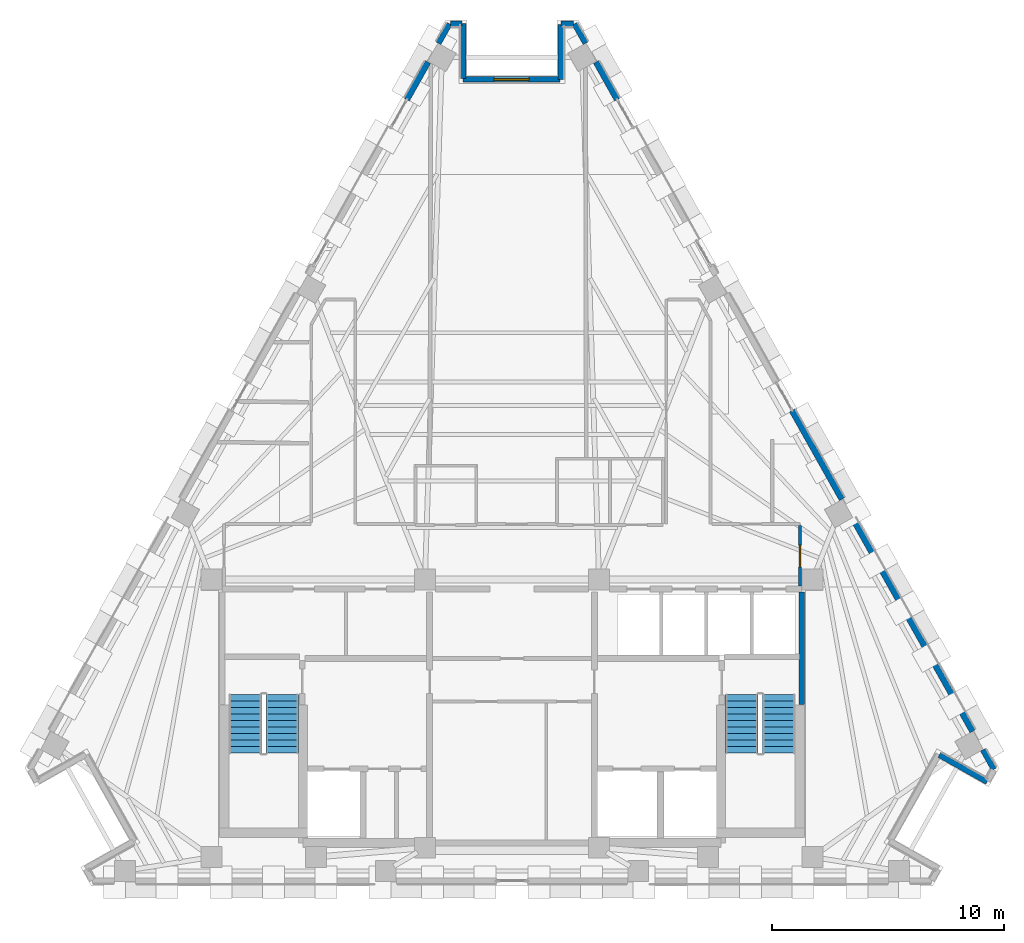
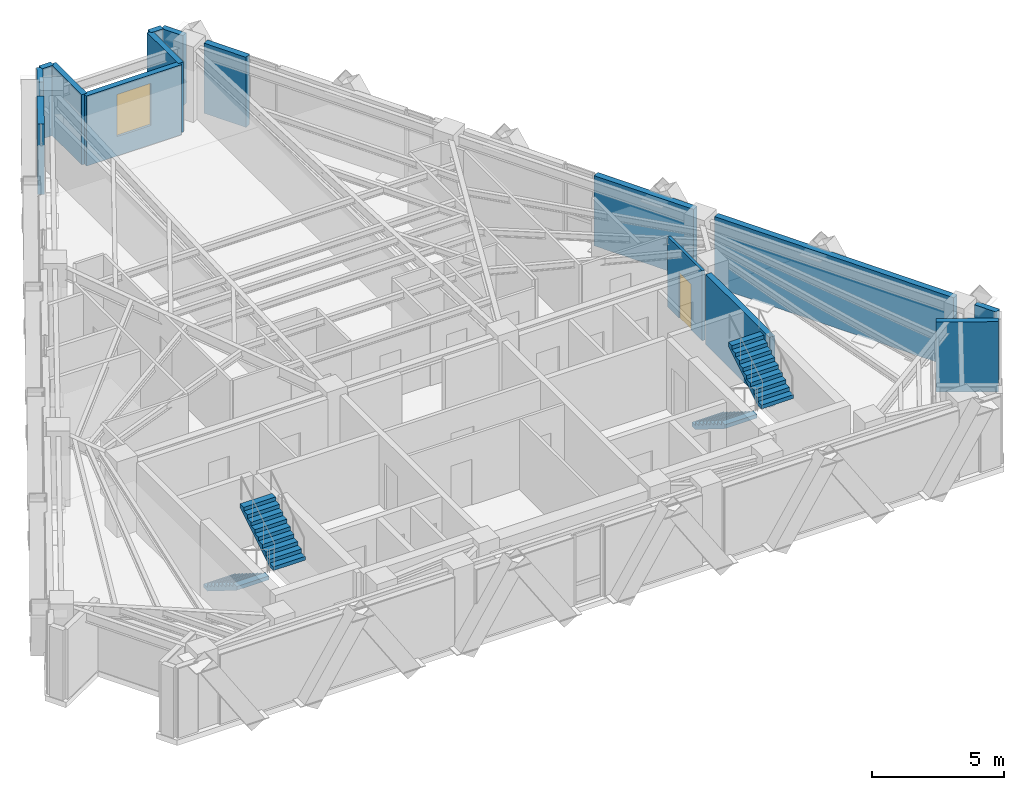
# One storey, part 9 of 12: 15 walls, 4 stair flights, 1 door, 1 window, 2 openings, 2 elements without a shape of their own.
"""IFC4 building model written with IfcOpenShell, lengths in metres."""

from ifc_helpers import new_model, si_unit, direction, frame, frame_2d, origin, place, context, subcontext, project, spatial, polyline, rectangle, outline, extrude, material, layer, layer_set, type_object, element, fill, aggregate, save


model = new_model("IFC4")

# Units and contexts
model_context = context("Model", 3, precision=1e-05, world=origin(), true_north=direction((0.0, 1.0)))
body_context = subcontext(model_context, "Body", "Model", "MODEL_VIEW")
ifc_project = project(units=[si_unit("LENGTHUNIT", "METRE"), si_unit("AREAUNIT", "SQUARE_METRE"), si_unit("VOLUMEUNIT", "CUBIC_METRE"), si_unit("PLANEANGLEUNIT", "RADIAN"), si_unit("MASSUNIT", "GRAM", prefix="KILO")], contexts=[model_context])

# Site, building, storey
site_placement = place(None, origin())
site = spatial("IfcSite", under=ifc_project, at=site_placement, CompositionType="ELEMENT")
building_placement = place(site_placement, origin())
building = spatial("IfcBuilding", under=site, at=building_placement, Name="Quenlor Broadcast Tower", CompositionType="ELEMENT")
storey_placement = place(building_placement, frame((0.0, 0.0, 197.39990234375)))
storey = spatial("IfcBuildingStorey", under=building, at=storey_placement, Name="L54", CompositionType="ELEMENT", Elevation=197.39990234375)

# Wall
ifc_material_1 = material(Name="Concrete C40/50", Category="concrete")
ifc_layer_1 = layer(ifc_material_1, 0.25)
ifc_layer_set_1 = layer_set([ifc_layer_1], Name="Fire Rated Concrete C40/50 Core Wall 250")
wall_type_1 = type_object("IfcWallType", Name="Fire Rated Concrete C40/50 Core Wall 250", PredefinedType="PARTITIONING", material=ifc_layer_set_1)
wall_1_placement = place(storey_placement, frame((12.47998046875, -10.179931640625, 0.0), z_axis=(0.0, 0.0, 1.0), x_axis=(0.0, 1.0, 0.0)))
element("IfcWall", 1, at=wall_1_placement, inside=storey, type_object=wall_type_1, Name="L54 Interior Wall CW-ST2-E2", PredefinedType="PARTITIONING", context=body_context, shape_type="SweptSolid", body=[
    extrude(rectangle(XDim=4.83984375, YDim=0.25, at=frame_2d((2.419921875, 0.0))), origin(), (0.0, 0.0, 1.0), 3.25),
])

# Wall, opening, door
ifc_material_2 = material(Name="Gypsum Plasterboard Partition", Category="other")
ifc_layer_2 = layer(ifc_material_2, 0.1201171875)
ifc_layer_set_2 = layer_set([ifc_layer_2], Name="Standard Office Partition 120")
wall_type_2 = type_object("IfcWallType", Name="Standard Office Partition 120", PredefinedType="PARTITIONING", material=ifc_layer_set_2)
wall_2_placement = place(storey_placement, frame((12.409912109375, -2.4619140625, 0.0), z_axis=(0.0, 0.0, 1.0), x_axis=(0.0, -1.0, 0.0)))
wall_2 = element("IfcWall", 2, at=wall_2_placement, inside=storey, type_object=wall_type_2, Name="L54 Interior Wall PW-CR-13", PredefinedType="PARTITIONING", context=body_context, shape_type="SweptSolid", body=[
    extrude(rectangle(XDim=2.611083984375, YDim=0.1201171875, at=frame_2d((1.3056640625, 0.0))), origin(), (0.0, 0.0, 1.0), 3.25),
])
opening_1_placement = place(wall_2_placement, frame((0.863037109375, 0.0, 0.0)))
opening_1 = element("IfcOpeningElement", 3, at=opening_1_placement, cuts=wall_2, Name="Opening ID-1", PredefinedType="OPENING", context=body_context, shape_type="SweptSolid", body=[
    extrude(rectangle(XDim=0.919921875, YDim=2.1201171875, at=frame_2d((0.4599609375, 1.06005859375))), frame((0.0, 0.070068359375, 0.0), z_axis=(0.0, -1.0, 0.0), x_axis=(1.0, 0.0, 0.0)), (0.0, 0.0, 1.0), 0.14013671875),
])
ifc_material_3 = material(Name="Solid Core Timber Oak", Category="wood")
door_type = type_object("IfcDoorType", Name="Single Leaf Timber Office Door 920x2120", OperationType="NOTDEFINED", PredefinedType="DOOR", material=ifc_material_3)
door_placement = place(opening_1_placement, origin())
door = element("IfcDoor", 4, at=door_placement, inside=storey, type_object=door_type, Name="L54 Door DR-RM08", OperationType="SINGLE_SWING_LEFT", OverallHeight=2.1201171875, OverallWidth=0.919921875, PredefinedType="DOOR", context=body_context, shape_type="SweptSolid", body=[
    extrude(rectangle(XDim=0.919921875, YDim=2.1201171875, at=frame_2d((0.4599609375, 1.06005859375))), frame((0.0, 0.02490234375, 0.0), z_axis=(0.0, -1.0, 0.0), x_axis=(1.0, 0.0, 0.0)), (0.0, 0.0, 1.0), 0.050048828125),
])
fill(opening_1, door)

# Walls
ifc_material_4 = material(Name="Precast concrete C40/50", Category="concrete")
ifc_layer_3 = layer(ifc_material_4, 0.239990234375)
ifc_layer_set_3 = layer_set([ifc_layer_3], Name="Terrace Threshold Precast Concrete C40/50 Wall 240")
wall_type_3 = type_object("IfcWallType", Name="Terrace Threshold Precast Concrete C40/50 Wall 240", PredefinedType="STANDARD", material=ifc_layer_set_3)
for number, where, z_axis, x_axis, name in (
    (5, (2.6953125, 19.1494140625, 0.0), (0.0, 0.0, 1.0), (0.490345412687, -0.87152818443, 0.0), "L54 Exterior Wall L54-SHD-NES0"),
    (6, (20.289794921875, -12.1298828125, 0.0), (0.0, 0.0, 1.0), (0.490345412687, -0.87152818443, 0.0), "L54 Exterior Wall L54-SHD-NES1"),
    (7, (-3.16796875, 18.309326171875, 0.0), (0.0, 0.0, 1.0), (0.490345412687, 0.87152818443, 0.0), "L54 Exterior Wall L54-SHD-NWS1"),
):
    element("IfcWall", number, at=place(storey_placement, frame(where, z_axis=z_axis, x_axis=x_axis)), inside=storey, type_object=wall_type_3, Name=name, PredefinedType="STANDARD", context=body_context, shape_type="SweptSolid", body=[
        extrude(rectangle(XDim=0.9638671875, YDim=0.239990234375, at=frame_2d((0.48193359375, 0.0))), origin(), (0.0, 0.0, 1.0), 3.25),
    ])
wall_3_placement = place(storey_placement, frame((18.412109375, -12.351318359375, 0.0), z_axis=(0.0, 0.0, 1.0), x_axis=(0.871578299909, -0.490256327984, 0.0)))
element("IfcWall", 8, at=wall_3_placement, inside=storey, type_object=wall_type_3, Name="L54 Exterior Wall L54-CNR-03", PredefinedType="STANDARD", context=body_context, shape_type="SweptSolid", body=[
    extrude(rectangle(XDim=2.35986328125, YDim=0.239990234375, at=frame_2d((1.179931640625, 0.0))), origin(), (0.0, 0.0, 1.0), 3.25),
])
wall_4_placement = place(storey_placement, frame((2.658447265625, 19.152099609375, 0.0), z_axis=(0.0, 0.0, 1.0), x_axis=(-1.0, 0.0, 0.0)))
element("IfcWall", 9, at=wall_4_placement, inside=storey, type_object=wall_type_3, Name="L54 Exterior Wall L54-CNR-06", PredefinedType="STANDARD", context=body_context, shape_type="SweptSolid", body=[
    extrude(rectangle(XDim=0.55224609375, YDim=0.239990234375, at=frame_2d((0.276123046875, 0.0))), origin(), (0.0, 0.0, 1.0), 3.25),
])
wall_5_placement = place(storey_placement, frame((2.106201171875, 19.112060546875, 0.0), z_axis=(0.0, 0.0, 1.0), x_axis=(0.0, -1.0, 0.0)))
element("IfcWall", 10, at=wall_5_placement, inside=storey, type_object=wall_type_3, Name="L54 Exterior Wall L54-CNR-07", PredefinedType="STANDARD", context=body_context, shape_type="SweptSolid", body=[
    extrude(rectangle(XDim=2.360107421875, YDim=0.239990234375, at=frame_2d((1.18017578125, 0.0))), origin(), (0.0, 0.0, 1.0), 3.25),
])

# Wall, opening, window
wall_6_placement = place(storey_placement, frame((2.066162109375, 16.751953125, 0.0), z_axis=(0.0, 0.0, 1.0), x_axis=(-1.0, 0.0, 0.0)))
wall_6 = element("IfcWall", 11, at=wall_6_placement, inside=storey, type_object=wall_type_3, Name="L54 Exterior Wall L54-CNR-08", PredefinedType="STANDARD", context=body_context, shape_type="SweptSolid", body=[
    extrude(rectangle(XDim=4.17236328125, YDim=0.239990234375, at=frame_2d((2.086181640625, 0.0))), origin(), (0.0, 0.0, 1.0), 3.25),
])
opening_2_placement = place(wall_6_placement, frame((1.3359375, 0.0, 0.89990234375)))
opening_2 = element("IfcOpeningElement", 12, at=opening_2_placement, cuts=wall_6, Name="Opening WN-3", PredefinedType="OPENING", context=body_context, shape_type="SweptSolid", body=[
    extrude(rectangle(XDim=1.5, YDim=1.949951171875, at=frame_2d((0.75, 0.97509765625))), frame((0.0, 0.1298828125, 0.0), z_axis=(0.0, -1.0, 0.0), x_axis=(1.0, 0.0, 0.0)), (0.0, 0.0, 1.0), 0.260009765625),
])
ifc_material_5 = material(Name="Thermally Broken Aluminium and Low-E Glass", Category="aluminium")
window_type = type_object("IfcWindowType", Name="Upper Tower Facade Window 1500x1950", PartitioningType="SINGLE_PANEL", PredefinedType="WINDOW", material=ifc_material_5)
window_placement = place(opening_2_placement, origin())
window = element("IfcWindow", 13, at=window_placement, inside=storey, type_object=window_type, Name="L54 Corner Chamfer Window 8", OverallHeight=1.949951171875, OverallWidth=1.5, PartitioningType="SINGLE_PANEL", PredefinedType="WINDOW", context=body_context, shape_type="SweptSolid", body=[
    extrude(rectangle(XDim=1.5, YDim=1.949951171875, at=frame_2d((0.75, 0.97509765625))), frame((0.0, 0.030029296875, 0.0), z_axis=(0.0, -1.0, 0.0), x_axis=(1.0, 0.0, 0.0)), (0.0, 0.0, 1.0), 0.06005859375),
])
fill(opening_2, window)

# Walls
wall_7_placement = place(storey_placement, frame((-2.106201171875, 16.7919921875, 0.0), z_axis=(0.0, 0.0, 1.0), x_axis=(0.0, 1.0, 0.0)))
element("IfcWall", 14, at=wall_7_placement, inside=storey, type_object=wall_type_3, Name="L54 Exterior Wall L54-CNR-09", PredefinedType="STANDARD", context=body_context, shape_type="SweptSolid", body=[
    extrude(rectangle(XDim=2.360107421875, YDim=0.239990234375, at=frame_2d((1.18017578125, 0.0))), origin(), (0.0, 0.0, 1.0), 3.25),
])
wall_8_placement = place(storey_placement, frame((-2.146240234375, 19.152099609375, 0.0), z_axis=(0.0, 0.0, 1.0), x_axis=(-1.0, 0.0, 0.0)))
element("IfcWall", 15, at=wall_8_placement, inside=storey, type_object=wall_type_3, Name="L54 Exterior Wall L54-CNR-10", PredefinedType="STANDARD", context=body_context, shape_type="SweptSolid", body=[
    extrude(rectangle(XDim=0.51220703125, YDim=0.239990234375, at=frame_2d((0.256103515625, 0.0))), origin(), (0.0, 0.0, 1.0), 3.25),
])
ifc_material_6 = material(Name="Precast concrete C40/50", Category="concrete")
ifc_layer_4 = layer(ifc_material_6, 0.260009765625)
ifc_layer_set_4 = layer_set([ifc_layer_4], Name="Terracotta Precast Concrete C40/50 Upper Wall 260")
wall_type_4 = type_object("IfcWallType", Name="Terracotta Precast Concrete C40/50 Upper Wall 260", PredefinedType="STANDARD", material=ifc_layer_set_4)
wall_9_placement = place(storey_placement, frame((3.623779296875, 17.498779296875, 0.0), z_axis=(0.0, 0.0, 1.0), x_axis=(0.490261239633, -0.871575537125, 0.0)))
element("IfcWall", 16, at=wall_9_placement, inside=storey, type_object=wall_type_4, Name="L54 Exterior Wall L54-NEA-SP1", PredefinedType="STANDARD", context=body_context, shape_type="SweptSolid", body=[
    extrude(rectangle(XDim=1.85546875, YDim=0.260009765625, at=frame_2d((0.927734375, 0.0))), origin(), (0.0, 0.0, 1.0), 3.25),
])
wall_10_placement = place(storey_placement, frame((14.6708984375, -2.140380859375, 0.0), z_axis=(0.0, 0.0, 1.0), x_axis=(0.490246958575, -0.871583570066, 0.0)))
element("IfcWall", 17, at=wall_10_placement, inside=storey, type_object=wall_type_4, Name="L54 Exterior Wall L54-EW-NEC", PredefinedType="STANDARD", context=body_context, shape_type="SweptSolid", body=[
    extrude(rectangle(XDim=10.551513671875, YDim=0.260009765625, at=frame_2d((5.27587890625, 0.0))), origin(), (0.0, 0.0, 1.0), 3.25),
])
wall_11_placement = place(storey_placement, frame((12.066162109375, 2.489990234375, 0.0), z_axis=(0.0, 0.0, 1.0), x_axis=(0.490261239633, -0.871575537125, 0.0)))
element("IfcWall", 18, at=wall_11_placement, inside=storey, type_object=wall_type_4, Name="L54 Exterior Wall L54-NE-SP2", PredefinedType="STANDARD", context=body_context, shape_type="SweptSolid", body=[
    extrude(rectangle(XDim=4.3876953125, YDim=0.260009765625, at=frame_2d((2.19384765625, 0.0))), origin(), (0.0, 0.0, 1.0), 3.25),
])
wall_12_placement = place(storey_placement, frame((-4.533447265625, 15.881591796875, 0.0), z_axis=(0.0, 0.0, 1.0), x_axis=(0.490261239633, 0.871575537125, 0.0)))
element("IfcWall", 19, at=wall_12_placement, inside=storey, type_object=wall_type_4, Name="L54 Exterior Wall L54-NWC-SP3", PredefinedType="STANDARD", context=body_context, shape_type="SweptSolid", body=[
    extrude(rectangle(XDim=1.85546875, YDim=0.260009765625, at=frame_2d((0.927734375, 0.0))), origin(), (0.0, 0.0, 1.0), 3.25),
])

# Stair, stair flights
ifc_material_7 = material(Name="Precast concrete C40/50", Category="concrete")
stair_type = type_object("IfcStairType", Name="Precast Concrete C40/50 Dogleg Stair H350", PredefinedType="HALF_TURN_STAIR", material=ifc_material_7)
stair_1_placement = place(storey_placement, origin())
stair_1 = element("IfcStair", 20, at=stair_1_placement, inside=storey, type_object=stair_type, Name="L54 West Core Fire-Isolated Exit Stair ST-1", PredefinedType="HALF_TURN_STAIR")
ifc_material_8 = material(Name="Precast concrete C40/50", Category="concrete")
ifc_layer_5 = layer(ifc_material_8, 0.159912109375)
ifc_layer_set_5 = layer_set([ifc_layer_5], Name="Precast Concrete C40/50 Stair Flight H350")
stair_flight_type = type_object("IfcStairFlightType", Name="Precast Concrete C40/50 Stair Flight H350", PredefinedType="STRAIGHT", material=ifc_layer_set_5)
stair_flight_1_placement = place(storey_placement, frame((-11.5, -9.75, 0.0), z_axis=(0.0, 0.0, 1.0), x_axis=(0.0, -1.0, 0.0)))
stair_flight_1 = element("IfcStairFlight", 21, at=stair_flight_1_placement, type_object=stair_flight_type, Name="ST-1 flight 1", NumberOfRisers=10, NumberOfTreads=9, PredefinedType="STRAIGHT", RiserHeight=0.175, TreadLength=0.28, context=body_context, shape_type="SweptSolid", body=[
    extrude(outline(polyline([(0.0, 0.0), (0.0, 0.175048828125), (0.280029296875, 0.175048828125), (0.280029296875, 0.35009765625), (0.56005859375, 0.35009765625), (0.56005859375, 0.52490234375), (0.840087890625, 0.52490234375), (0.840087890625, 0.699951171875), (1.1201171875, 0.699951171875), (1.1201171875, 0.875), (1.39990234375, 0.875), (1.39990234375, 1.050048828125), (1.679931640625, 1.050048828125), (1.679931640625, 1.22509765625), (1.9599609375, 1.22509765625), (1.9599609375, 1.39990234375), (2.239990234375, 1.39990234375), (2.239990234375, 1.574951171875), (2.52001953125, 1.574951171875), (2.52001953125, 1.75), (2.52001953125, 1.398193359375), (0.28271484375, 0.0), (0.0, 0.0)])), frame((0.0, 0.699951171875, 0.0), z_axis=(0.0, -1.0, 0.0), x_axis=(1.0, 0.0, 0.0)), (0.0, 0.0, 1.0), 1.39990234375),
])
stair_flight_2_placement = place(storey_placement, frame((-9.89990234375, -12.27001953125, 1.75), z_axis=(0.0, 0.0, 1.0), x_axis=(0.0, 1.0, 0.0)))
stair_flight_2 = element("IfcStairFlight", 22, at=stair_flight_2_placement, type_object=stair_flight_type, Name="ST-1 flight 2", NumberOfRisers=10, NumberOfTreads=9, PredefinedType="STRAIGHT", RiserHeight=0.175, TreadLength=0.28, context=body_context, shape_type="SweptSolid", body=[
    extrude(outline(polyline([(0.0, 0.0), (0.0, 0.175048828125), (0.280029296875, 0.175048828125), (0.280029296875, 0.35009765625), (0.56005859375, 0.35009765625), (0.56005859375, 0.52490234375), (0.840087890625, 0.52490234375), (0.840087890625, 0.699951171875), (1.1201171875, 0.699951171875), (1.1201171875, 0.875), (1.39990234375, 0.875), (1.39990234375, 1.050048828125), (1.679931640625, 1.050048828125), (1.679931640625, 1.22509765625), (1.9599609375, 1.22509765625), (1.9599609375, 1.39990234375), (2.239990234375, 1.39990234375), (2.239990234375, 1.574951171875), (2.52001953125, 1.574951171875), (2.52001953125, 1.75), (2.52001953125, 1.398193359375), (0.28271484375, 0.0), (0.0, 0.0)])), frame((0.0, 0.699951171875, 0.0), z_axis=(0.0, -1.0, 0.0), x_axis=(1.0, 0.0, 0.0)), (0.0, 0.0, 1.0), 1.39990234375),
])
aggregate(stair_1, [stair_flight_1, stair_flight_2])

stair_2_placement = place(storey_placement, origin())
stair_2 = element("IfcStair", 23, at=stair_2_placement, inside=storey, type_object=stair_type, Name="L54 East Core Fire-Isolated Exit Stair ST-2", PredefinedType="HALF_TURN_STAIR")
stair_flight_3_placement = place(storey_placement, frame((9.89990234375, -9.75, 0.0), z_axis=(0.0, 0.0, 1.0), x_axis=(0.0, -1.0, 0.0)))
stair_flight_3 = element("IfcStairFlight", 24, at=stair_flight_3_placement, type_object=stair_flight_type, Name="ST-2 flight 1", NumberOfRisers=10, NumberOfTreads=9, PredefinedType="STRAIGHT", RiserHeight=0.175, TreadLength=0.28, context=body_context, shape_type="SweptSolid", body=[
    extrude(outline(polyline([(0.0, 0.0), (0.0, 0.175048828125), (0.280029296875, 0.175048828125), (0.280029296875, 0.35009765625), (0.56005859375, 0.35009765625), (0.56005859375, 0.52490234375), (0.840087890625, 0.52490234375), (0.840087890625, 0.699951171875), (1.1201171875, 0.699951171875), (1.1201171875, 0.875), (1.39990234375, 0.875), (1.39990234375, 1.050048828125), (1.679931640625, 1.050048828125), (1.679931640625, 1.22509765625), (1.9599609375, 1.22509765625), (1.9599609375, 1.39990234375), (2.239990234375, 1.39990234375), (2.239990234375, 1.574951171875), (2.52001953125, 1.574951171875), (2.52001953125, 1.75), (2.52001953125, 1.398193359375), (0.28271484375, 0.0), (0.0, 0.0)])), frame((0.0, 0.699951171875, 0.0), z_axis=(0.0, -1.0, 0.0), x_axis=(1.0, 0.0, 0.0)), (0.0, 0.0, 1.0), 1.39990234375),
])
stair_flight_4_placement = place(storey_placement, frame((11.5, -12.27001953125, 1.75), z_axis=(0.0, 0.0, 1.0), x_axis=(0.0, 1.0, 0.0)))
stair_flight_4 = element("IfcStairFlight", 25, at=stair_flight_4_placement, type_object=stair_flight_type, Name="ST-2 flight 2", NumberOfRisers=10, NumberOfTreads=9, PredefinedType="STRAIGHT", RiserHeight=0.175, TreadLength=0.28, context=body_context, shape_type="SweptSolid", body=[
    extrude(outline(polyline([(0.0, 0.0), (0.0, 0.175048828125), (0.280029296875, 0.175048828125), (0.280029296875, 0.35009765625), (0.56005859375, 0.35009765625), (0.56005859375, 0.52490234375), (0.840087890625, 0.52490234375), (0.840087890625, 0.699951171875), (1.1201171875, 0.699951171875), (1.1201171875, 0.875), (1.39990234375, 0.875), (1.39990234375, 1.050048828125), (1.679931640625, 1.050048828125), (1.679931640625, 1.22509765625), (1.9599609375, 1.22509765625), (1.9599609375, 1.39990234375), (2.239990234375, 1.39990234375), (2.239990234375, 1.574951171875), (2.52001953125, 1.574951171875), (2.52001953125, 1.75), (2.52001953125, 1.398193359375), (0.28271484375, 0.0), (0.0, 0.0)])), frame((0.0, 0.699951171875, 0.0), z_axis=(0.0, -1.0, 0.0), x_axis=(1.0, 0.0, 0.0)), (0.0, 0.0, 1.0), 1.39990234375),
])
aggregate(stair_2, [stair_flight_3, stair_flight_4])

save(model, "model.ifc")
